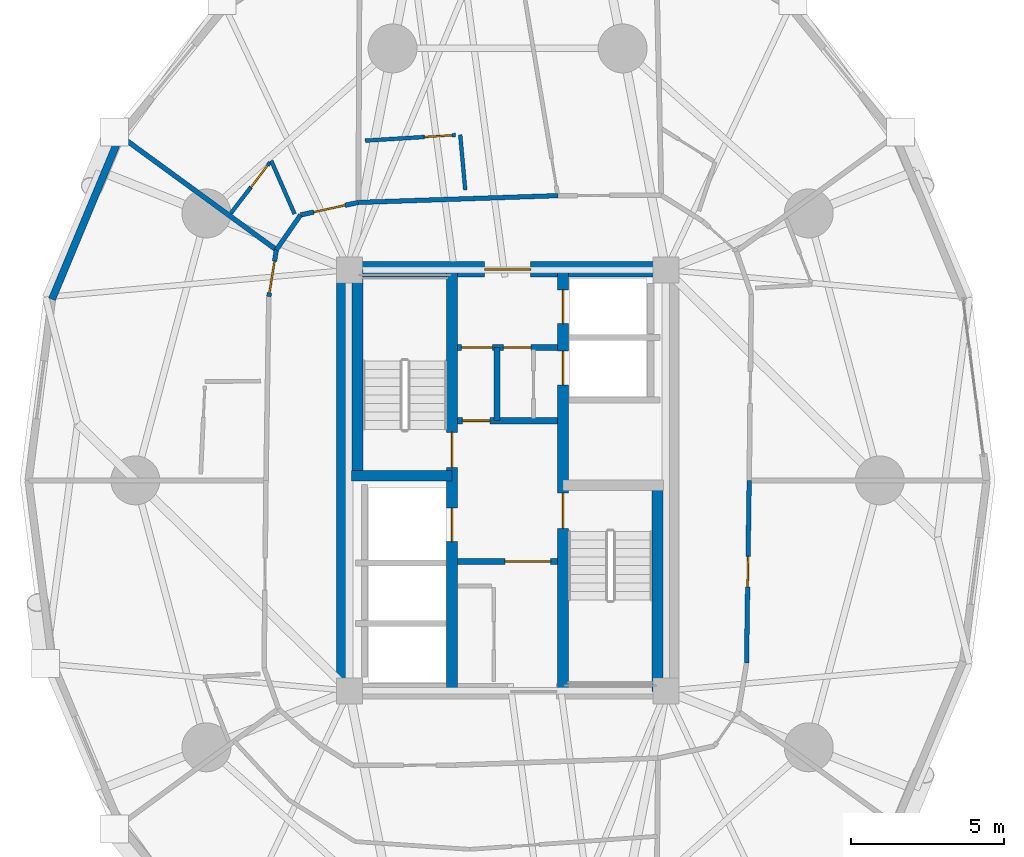
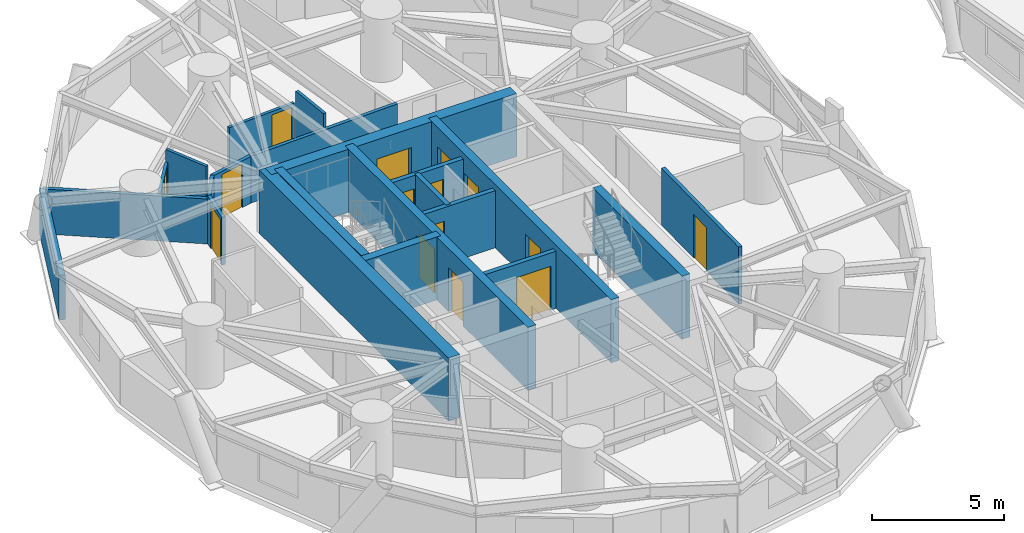
# One storey, part 11 of 19: 22 walls, 15 doors, 15 openings.
"""IFC4 building model written with IfcOpenShell, lengths in metres."""

from ifc_helpers import new_model, si_unit, direction, frame, frame_2d, origin, place, context, subcontext, project, spatial, rectangle, extrude, source, transform, mapped, material, layer, layer_set, type_object, element, fill, save


model = new_model("IFC4")

# Units and contexts
model_context = context("Model", 3, precision=1e-05, world=origin(), true_north=direction((0.0, 1.0)))
body_context = subcontext(model_context, "Body", "Model", "MODEL_VIEW")
ifc_project = project(units=[si_unit("LENGTHUNIT", "METRE"), si_unit("AREAUNIT", "SQUARE_METRE"), si_unit("VOLUMEUNIT", "CUBIC_METRE"), si_unit("PLANEANGLEUNIT", "RADIAN"), si_unit("MASSUNIT", "GRAM", prefix="KILO")], contexts=[model_context])

# Site, building, storey
site_placement = place(None, origin())
site = spatial("IfcSite", under=ifc_project, at=site_placement, CompositionType="ELEMENT")
building_placement = place(site_placement, origin())
building = spatial("IfcBuilding", under=site, at=building_placement, Name="Cununo Teusaquillo Station Towers", CompositionType="ELEMENT")
storey_placement = place(building_placement, frame((0.0, 0.0, 48.18994140625)))
storey = spatial("IfcBuildingStorey", under=building, at=storey_placement, Name="L14", CompositionType="ELEMENT", Elevation=48.18994140625)

# Wall, openings, doors
ifc_material_1 = material(Name="Concrete C50/60", Category="concrete")
ifc_layer_1 = layer(ifc_material_1, 0.35009765625)
ifc_layer_set_1 = layer_set([ifc_layer_1], Name="Concrete C50/60")
wall_type_1 = type_object("IfcWallType", Name="WL-CORE-350", PredefinedType="SHEAR", material=ifc_layer_set_1)
wall_1_placement = place(storey_placement, frame((14.68505859375, 17.60009765625, 0.0), z_axis=(0.0, 0.0, 1.0), x_axis=(0.0, 1.0, 0.0)))
wall_1 = element("IfcWall", 1, at=wall_1_placement, inside=storey, type_object=wall_type_1, Name="L14 Tower A Core Shear Wall IW", PredefinedType="SHEAR", context=body_context, shape_type="SweptSolid", body=[
    extrude(rectangle(XDim=13.7998046875, YDim=0.35009765625, at=frame_2d((6.89990234375, 0.0))), origin(), (0.0, 0.0, 1.0), 2.91015625),
])
shared_shape_1 = source(origin(), body_context, "Body", "SweptSolid", [
    extrude(rectangle(XDim=1.10009765625, YDim=2.014892578125, at=frame_2d((0.550048828125, 1.00732421875))), frame((0.0, 0.18505859375, 0.0), z_axis=(0.0, -1.0, 0.0), x_axis=(1.0, 0.0, 0.0)), (0.0, 0.0, 1.0), 0.3701171875),
])
opening_1_placement = place(wall_1_placement, frame((4.89990234375, 0.0, 0.0)))
opening_1 = element("IfcOpeningElement", 2, at=opening_1_placement, cuts=wall_1, Name="Opening LD-01", PredefinedType="OPENING", context=body_context, shape_type="MappedRepresentation", body=[
    mapped(shared_shape_1, transform((0.0, 0.0, 0.0), x_axis=(1.0, 0.0, 0.0), y_axis=(0.0, 1.0, 0.0), z_axis=(0.0, 0.0, 1.0), scale=1.0)),
])
shared_shape_2 = source(origin(), body_context, "Body", "SweptSolid", [
    extrude(rectangle(XDim=1.14990234375, YDim=2.02001953125, at=frame_2d((0.574951171875, 1.010009765625))), frame((0.0, 0.18505859375, 0.0), z_axis=(0.0, -1.0, 0.0), x_axis=(1.0, 0.0, 0.0)), (0.0, 0.0, 1.0), 0.3701171875),
])
opening_2_placement = place(wall_1_placement, frame((7.320068359375, 0.0, 0.0)))
opening_2 = element("IfcOpeningElement", 3, at=opening_2_placement, cuts=wall_1, Name="Opening D-ST1", PredefinedType="OPENING", context=body_context, shape_type="MappedRepresentation", body=[
    mapped(shared_shape_2, transform((0.0, 0.0, 0.0), x_axis=(1.0, 0.0, 0.0), y_axis=(0.0, 1.0, 0.0), z_axis=(0.0, 0.0, 1.0), scale=1.0)),
])
ifc_material_2 = material(Name="Galvanised fire-rated hollow steel door assembly", Category="steel")
door_type_1 = type_object("IfcDoorType", Name="DR-LIFT-1100", OperationType="SLIDING_TO_LEFT", PredefinedType="DOOR", material=ifc_material_2)
shared_shape_3 = source(origin(), body_context, "Body", "SweptSolid", [
    extrude(rectangle(XDim=1.10009765625, YDim=2.014892578125, at=frame_2d((0.550048828125, 1.00732421875))), frame((0.0, 0.02490234375, 0.0), z_axis=(0.0, -1.0, 0.0), x_axis=(1.0, 0.0, 0.0)), (0.0, 0.0, 1.0), 0.050048828125),
])
door_1_placement = place(opening_1_placement, origin())
door_1 = element("IfcDoor", 4, at=door_1_placement, inside=storey, type_object=door_type_1, Name="L14 Lift FL-T1 Sliding Landing Door", OperationType="SLIDING_TO_LEFT", OverallHeight=2.014892578125, OverallWidth=1.10009765625, PredefinedType="DOOR", context=body_context, shape_type="MappedRepresentation", body=[
    mapped(shared_shape_3, transform((0.0, 0.0, 0.0), x_axis=(1.0, 0.0, 0.0), y_axis=(0.0, 1.0, 0.0), z_axis=(0.0, 0.0, 1.0), scale=1.0)),
])
fill(opening_1, door_1)
ifc_material_3 = material(Name="Galvanised fire-rated hollow steel door assembly", Category="steel")
door_type_2 = type_object("IfcDoorType", Name="DR-STAIR-1150", OperationType="NOTDEFINED", PredefinedType="DOOR", material=ifc_material_3)
shared_shape_4 = source(origin(), body_context, "Body", "SweptSolid", [
    extrude(rectangle(XDim=1.14990234375, YDim=2.02001953125, at=frame_2d((0.574951171875, 1.010009765625))), frame((0.0, 0.02490234375, 0.0), z_axis=(0.0, -1.0, 0.0), x_axis=(1.0, 0.0, 0.0)), (0.0, 0.0, 1.0), 0.050048828125),
])
door_2_placement = place(opening_2_placement, origin())
door_2 = element("IfcDoor", 5, at=door_2_placement, inside=storey, type_object=door_type_2, Name="L14 Tower A Exit Stair 1 Fire Door", OperationType="SINGLE_SWING_LEFT", OverallHeight=2.02001953125, OverallWidth=1.14990234375, PredefinedType="DOOR", context=body_context, shape_type="MappedRepresentation", body=[
    mapped(shared_shape_4, transform((0.0, 0.0, 0.0), x_axis=(1.0, 0.0, 0.0), y_axis=(0.0, 1.0, 0.0), z_axis=(0.0, 0.0, 1.0), scale=1.0)),
])
fill(opening_2, door_2)

wall_2_placement = place(storey_placement, frame((18.31494140625, 17.60009765625, 0.0), z_axis=(0.0, 0.0, 1.0), x_axis=(0.0, 1.0, 0.0)))
wall_2 = element("IfcWall", 6, at=wall_2_placement, inside=storey, type_object=wall_type_1, Name="L14 Tower A Core Shear Wall IE", PredefinedType="SHEAR", context=body_context, shape_type="SweptSolid", body=[
    extrude(rectangle(XDim=13.7998046875, YDim=0.35009765625, at=frame_2d((6.89990234375, 0.0))), origin(), (0.0, 0.0, 1.0), 2.91015625),
])
opening_3_placement = place(wall_2_placement, frame((10.02490234375, 0.0, 0.0)))
opening_3 = element("IfcOpeningElement", 7, at=opening_3_placement, cuts=wall_2, Name="Opening LD-01", PredefinedType="OPENING", context=body_context, shape_type="MappedRepresentation", body=[
    mapped(shared_shape_1, transform((0.0, 0.0, 0.0), x_axis=(1.0, 0.0, 0.0), y_axis=(0.0, 1.0, 0.0), z_axis=(0.0, 0.0, 1.0), scale=1.0)),
])
opening_4_placement = place(wall_2_placement, frame((12.02490234375, 0.0, 0.0)))
opening_4 = element("IfcOpeningElement", 8, at=opening_4_placement, cuts=wall_2, Name="Opening LD-01", PredefinedType="OPENING", context=body_context, shape_type="MappedRepresentation", body=[
    mapped(shared_shape_1, transform((0.0, 0.0, 0.0), x_axis=(1.0, 0.0, 0.0), y_axis=(0.0, 1.0, 0.0), z_axis=(0.0, 0.0, 1.0), scale=1.0)),
])
opening_5_placement = place(wall_2_placement, frame((5.330078125, 0.0, 0.0)))
opening_5 = element("IfcOpeningElement", 9, at=opening_5_placement, cuts=wall_2, Name="Opening D-ST1", PredefinedType="OPENING", context=body_context, shape_type="MappedRepresentation", body=[
    mapped(shared_shape_2, transform((0.0, 0.0, 0.0), x_axis=(1.0, 0.0, 0.0), y_axis=(0.0, 1.0, 0.0), z_axis=(0.0, 0.0, 1.0), scale=1.0)),
])
door_3_placement = place(opening_3_placement, origin())
door_3 = element("IfcDoor", 10, at=door_3_placement, inside=storey, type_object=door_type_1, Name="L14 Lift PL-T1-L1 Sliding Landing Door", OperationType="SLIDING_TO_RIGHT", OverallHeight=2.014892578125, OverallWidth=1.10009765625, PredefinedType="DOOR", context=body_context, shape_type="MappedRepresentation", body=[
    mapped(shared_shape_3, transform((0.0, 0.0, 0.0), x_axis=(1.0, 0.0, 0.0), y_axis=(0.0, 1.0, 0.0), z_axis=(0.0, 0.0, 1.0), scale=1.0)),
])
fill(opening_3, door_3)
door_4_placement = place(opening_4_placement, origin())
door_4 = element("IfcDoor", 11, at=door_4_placement, inside=storey, type_object=door_type_1, Name="L14 Lift PL-T1-L2 Sliding Landing Door", OperationType="SLIDING_TO_LEFT", OverallHeight=2.014892578125, OverallWidth=1.10009765625, PredefinedType="DOOR", context=body_context, shape_type="MappedRepresentation", body=[
    mapped(shared_shape_3, transform((0.0, 0.0, 0.0), x_axis=(1.0, 0.0, 0.0), y_axis=(0.0, 1.0, 0.0), z_axis=(0.0, 0.0, 1.0), scale=1.0)),
])
fill(opening_4, door_4)
door_5_placement = place(opening_5_placement, origin())
door_5 = element("IfcDoor", 12, at=door_5_placement, inside=storey, type_object=door_type_2, Name="L14 Tower A Exit Stair 2 Fire Door", OperationType="SINGLE_SWING_RIGHT", OverallHeight=2.02001953125, OverallWidth=1.14990234375, PredefinedType="DOOR", context=body_context, shape_type="MappedRepresentation", body=[
    mapped(shared_shape_4, transform((0.0, 0.0, 0.0), x_axis=(1.0, 0.0, 0.0), y_axis=(0.0, 1.0, 0.0), z_axis=(0.0, 0.0, 1.0), scale=1.0)),
])
fill(opening_5, door_5)

# Walls
wall_3_placement = place(storey_placement, frame((11.594970703125, 24.655029296875, 0.0), z_axis=(0.0, 0.0, 1.0), x_axis=(0.0, 1.0, 0.0)))
element("IfcWall", 13, at=wall_3_placement, inside=storey, type_object=wall_type_1, Name="L14 Tower A Core Shear Wall ST1W", PredefinedType="SHEAR", context=body_context, shape_type="SweptSolid", body=[
    extrude(rectangle(XDim=6.744873046875, YDim=0.35009765625, at=frame_2d((3.37255859375, 0.0))), origin(), (0.0, 0.0, 1.0), 2.91015625),
])
wall_4_placement = place(storey_placement, frame((11.39990234375, 24.655029296875, 0.0), z_axis=(0.0, 0.0, 1.0), x_axis=(1.0, 0.0, 0.0)))
element("IfcWall", 14, at=wall_4_placement, inside=storey, type_object=wall_type_1, Name="L14 Tower A Core Shear Wall ST1S", PredefinedType="SHEAR", context=body_context, shape_type="SweptSolid", body=[
    extrude(rectangle(XDim=3.28515625, YDim=0.35009765625, at=frame_2d((1.642578125, 0.0))), origin(), (0.0, 0.0, 1.0), 2.91015625),
])
wall_5_placement = place(storey_placement, frame((21.405029296875, 17.60009765625, 0.0), z_axis=(0.0, 0.0, 1.0), x_axis=(0.0, 1.0, 0.0)))
element("IfcWall", 15, at=wall_5_placement, inside=storey, type_object=wall_type_1, Name="L14 Tower A Core Shear Wall ST2E", PredefinedType="SHEAR", context=body_context, shape_type="SweptSolid", body=[
    extrude(rectangle(XDim=6.744873046875, YDim=0.35009765625, at=frame_2d((3.37255859375, 0.0))), origin(), (0.0, 0.0, 1.0), 2.91015625),
])
ifc_material_4 = material(Name="Concrete C60/75", Category="concrete")
ifc_layer_2 = layer(ifc_material_4, 0.5)
ifc_layer_set_2 = layer_set([ifc_layer_2], Name="Concrete C60/75")
wall_type_2 = type_object("IfcWallType", Name="WL-CORE-500", PredefinedType="SHEAR", material=ifc_layer_set_2)
wall_6_placement = place(storey_placement, frame((11.14990234375, 17.35009765625, 0.0), z_axis=(0.0, 0.0, 1.0), x_axis=(0.0, 1.0, 0.0)))
element("IfcWall", 16, at=wall_6_placement, inside=storey, type_object=wall_type_2, Name="L14 Tower A Core Shear Wall W", PredefinedType="SHEAR", context=body_context, shape_type="SweptSolid", body=[
    extrude(rectangle(XDim=14.2998046875, YDim=0.5, at=frame_2d((7.14990234375, 0.0))), origin(), (0.0, 0.0, 1.0), 2.91015625),
])

# Wall, opening, door
wall_7_placement = place(storey_placement, frame((11.14990234375, 31.39990234375, 0.0), z_axis=(0.0, 0.0, 1.0), x_axis=(1.0, 0.0, 0.0)))
wall_7 = element("IfcWall", 17, at=wall_7_placement, inside=storey, type_object=wall_type_2, Name="L14 Tower A Core Shear Wall N", PredefinedType="SHEAR", context=body_context, shape_type="SweptSolid", body=[
    extrude(rectangle(XDim=10.7001953125, YDim=0.5, at=frame_2d((5.35009765625, 0.0))), origin(), (0.0, 0.0, 1.0), 2.91015625),
])
shared_shape_5 = source(origin(), body_context, "Body", "SweptSolid", [
    extrude(rectangle(XDim=1.5, YDim=2.02001953125, at=frame_2d((0.75, 1.010009765625))), frame((0.0, 0.260009765625, 0.0), z_axis=(0.0, -1.0, 0.0), x_axis=(1.0, 0.0, 0.0)), (0.0, 0.0, 1.0), 0.52001953125),
])
opening_6_placement = place(wall_7_placement, frame((4.60009765625, 0.0, 0.0)))
opening_6 = element("IfcOpeningElement", 18, at=opening_6_placement, cuts=wall_7, Name="Opening D-LB1", PredefinedType="OPENING", context=body_context, shape_type="MappedRepresentation", body=[
    mapped(shared_shape_5, transform((0.0, 0.0, 0.0), x_axis=(1.0, 0.0, 0.0), y_axis=(0.0, 1.0, 0.0), z_axis=(0.0, 0.0, 1.0), scale=1.0)),
])
ifc_material_5 = material(Name="Galvanised fire-rated hollow steel door assembly", Category="steel")
door_type_3 = type_object("IfcDoorType", Name="DR-LOBBY-1500", OperationType="DOUBLE_DOOR_SINGLE_SWING", PredefinedType="DOOR", material=ifc_material_5)
shared_shape_6 = source(origin(), body_context, "Body", "SweptSolid", [
    extrude(rectangle(XDim=1.5, YDim=2.02001953125, at=frame_2d((0.75, 1.010009765625))), frame((0.0, 0.02490234375, 0.0), z_axis=(0.0, -1.0, 0.0), x_axis=(1.0, 0.0, 0.0)), (0.0, 0.0, 1.0), 0.050048828125),
])
door_6_placement = place(opening_6_placement, origin())
door_6 = element("IfcDoor", 19, at=door_6_placement, inside=storey, type_object=door_type_3, Name="L14 Tower A North Core Lift Lobby Door", OperationType="DOUBLE_DOOR_SINGLE_SWING", OverallHeight=2.02001953125, OverallWidth=1.5, PredefinedType="DOOR", context=body_context, shape_type="MappedRepresentation", body=[
    mapped(shared_shape_6, transform((0.0, 0.0, 0.0), x_axis=(1.0, 0.0, 0.0), y_axis=(0.0, 1.0, 0.0), z_axis=(0.0, 0.0, 1.0), scale=1.0)),
])
fill(opening_6, door_6)

# Walls
ifc_material_6 = material(Name="Precast concrete C40/50", Category="concrete")
ifc_layer_3 = layer(ifc_material_6, 0.239990234375)
ifc_layer_set_3 = layer_set([ifc_layer_3], Name="Precast concrete C40/50")
wall_type_3 = type_object("IfcWallType", Name="WL-EXT-240", PredefinedType="SOLIDWALL", material=ifc_layer_set_3)
wall_8_placement = place(storey_placement, frame((1.603515625, 30.423828125, 0.0), z_axis=(0.0, 0.0, 1.0), x_axis=(0.384348836956, 0.923187939442, 0.0)))
element("IfcWall", 20, at=wall_8_placement, inside=storey, type_object=wall_type_3, Name="L14 Tower A Exterior Facade Wall C08", PredefinedType="SOLIDWALL", context=body_context, shape_type="SweptSolid", body=[
    extrude(rectangle(XDim=5.78857421875, YDim=0.239990234375, at=frame_2d((2.894287109375, 0.0))), origin(), (0.0, 0.0, 1.0), 2.072998046875),
])
ifc_material_7 = material(Name="Fire-rated gypsum plasterboard partition assembly", Category="gypsum")
ifc_layer_4 = layer(ifc_material_7, 0.125)
ifc_layer_set_4 = layer_set([ifc_layer_4], Name="Fire-rated gypsum plasterboard partition assembly")
wall_type_4 = type_object("IfcWallType", Name="WL-PART-125", PredefinedType="PARTITIONING", material=ifc_layer_set_4)
wall_9_placement = place(storey_placement, frame((15.1162109375, 33.992919921875, 0.0), z_axis=(0.0, 0.0, 1.0), x_axis=(-0.090547877021, 0.995892103577, 0.0)))
element("IfcWall", 21, at=wall_9_placement, inside=storey, type_object=wall_type_4, Name="L14 Tower A S03 En-suite Side Wall", PredefinedType="PARTITIONING", context=body_context, shape_type="SweptSolid", body=[
    extrude(rectangle(XDim=1.814697265625, YDim=0.125, at=frame_2d((0.9072265625, 0.0))), origin(), (0.0, 0.0, 1.0), 2.635009765625),
])

# Wall, opening, door
wall_10_placement = place(storey_placement, frame((14.798095703125, 35.79052734375, 0.0), z_axis=(0.0, 0.0, 1.0), x_axis=(-0.998108365817, -0.06147918417, 0.0)))
wall_10 = element("IfcWall", 22, at=wall_10_placement, inside=storey, type_object=wall_type_4, Name="L14 Tower A S03 En-suite Back Wall", PredefinedType="PARTITIONING", context=body_context, shape_type="SweptSolid", body=[
    extrude(rectangle(XDim=2.95849609375, YDim=0.125, at=frame_2d((1.479248046875, 0.0))), origin(), (0.0, 0.0, 1.0), 2.1591796875),
])
shared_shape_7 = source(origin(), body_context, "Body", "SweptSolid", [
    extrude(rectangle(XDim=0.89990234375, YDim=2.0048828125, at=frame_2d((0.449951171875, 1.00244140625))), frame((0.0, 0.072509765625, 0.0), z_axis=(0.0, -1.0, 0.0), x_axis=(1.0, 0.0, 0.0)), (0.0, 0.0, 1.0), 0.14501953125),
])
opening_7_placement = place(wall_10_placement, frame((0.1201171875, 0.0, 0.0)))
opening_7 = element("IfcOpeningElement", 23, at=opening_7_placement, cuts=wall_10, Name="Opening D-IN1", PredefinedType="OPENING", context=body_context, shape_type="MappedRepresentation", body=[
    mapped(shared_shape_7, transform((0.0, 0.0, 0.0), x_axis=(1.0, 0.0, 0.0), y_axis=(0.0, 1.0, 0.0), z_axis=(0.0, 0.0, 1.0), scale=1.0)),
])
ifc_material_8 = material(Name="Acoustic solid-core hardwood leaf assembly", Category="wood")
door_type_4 = type_object("IfcDoorType", Name="DR-INT-900", OperationType="NOTDEFINED", PredefinedType="DOOR", material=ifc_material_8)
shared_shape_8 = source(origin(), body_context, "Body", "SweptSolid", [
    extrude(rectangle(XDim=0.89990234375, YDim=2.0048828125, at=frame_2d((0.449951171875, 1.00244140625))), frame((0.0, 0.02490234375, 0.0), z_axis=(0.0, -1.0, 0.0), x_axis=(1.0, 0.0, 0.0)), (0.0, 0.0, 1.0), 0.050048828125),
])
door_7_placement = place(opening_7_placement, origin())
door_7 = element("IfcDoor", 24, at=door_7_placement, inside=storey, type_object=door_type_4, Name="L14 Tower A S03 En-suite Bathroom Door", OperationType="SINGLE_SWING_RIGHT", OverallHeight=2.0048828125, OverallWidth=0.89990234375, PredefinedType="DOOR", context=body_context, shape_type="MappedRepresentation", body=[
    mapped(shared_shape_8, transform((0.0, 0.0, 0.0), x_axis=(1.0, 0.0, 0.0), y_axis=(0.0, 1.0, 0.0), z_axis=(0.0, 0.0, 1.0), scale=1.0)),
])
fill(opening_7, door_7)

# Wall
wall_11_placement = place(storey_placement, frame((9.53515625, 33.210693359375, 0.0), z_axis=(0.0, 0.0, 1.0), x_axis=(-0.401687955793, 0.915776602765, 0.0)))
element("IfcWall", 25, at=wall_11_placement, inside=storey, type_object=wall_type_4, Name="L14 Tower A S04 En-suite Side Wall", PredefinedType="PARTITIONING", context=body_context, shape_type="SweptSolid", body=[
    extrude(rectangle(XDim=1.900634765625, YDim=0.125, at=frame_2d((0.9501953125, 0.0))), origin(), (0.0, 0.0, 1.0), 2.635009765625),
])

# Wall, opening, door
wall_12_placement = place(storey_placement, frame((8.731689453125, 34.8994140625, 0.0), z_axis=(0.0, 0.0, 1.0), x_axis=(-0.609677010074, -0.792649950096, 0.0)))
wall_12 = element("IfcWall", 26, at=wall_12_placement, inside=storey, type_object=wall_type_4, Name="L14 Tower A S04 En-suite Back Wall", PredefinedType="PARTITIONING", context=body_context, shape_type="SweptSolid", body=[
    extrude(rectangle(XDim=2.097412109375, YDim=0.125, at=frame_2d((1.048828125, 0.0))), origin(), (0.0, 0.0, 1.0), 2.072998046875),
])
opening_8_placement = place(wall_12_placement, frame((0.1201171875, 0.0, 0.0)))
opening_8 = element("IfcOpeningElement", 27, at=opening_8_placement, cuts=wall_12, Name="Opening D-IN1", PredefinedType="OPENING", context=body_context, shape_type="MappedRepresentation", body=[
    mapped(shared_shape_7, transform((0.0, 0.0, 0.0), x_axis=(1.0, 0.0, 0.0), y_axis=(0.0, 1.0, 0.0), z_axis=(0.0, 0.0, 1.0), scale=1.0)),
])
door_8_placement = place(opening_8_placement, origin())
door_8 = element("IfcDoor", 28, at=door_8_placement, inside=storey, type_object=door_type_4, Name="L14 Tower A S04 En-suite Bathroom Door", OperationType="SINGLE_SWING_RIGHT", OverallHeight=2.0048828125, OverallWidth=0.89990234375, PredefinedType="DOOR", context=body_context, shape_type="MappedRepresentation", body=[
    mapped(shared_shape_8, transform((0.0, 0.0, 0.0), x_axis=(1.0, 0.0, 0.0), y_axis=(0.0, 1.0, 0.0), z_axis=(0.0, 0.0, 1.0), scale=1.0)),
])
fill(opening_8, door_8)

# Wall
ifc_material_9 = material(Name="Fire-rated gypsum plasterboard partition assembly", Category="gypsum")
ifc_layer_5 = layer(ifc_material_9, 0.14990234375)
ifc_layer_set_5 = layer_set([ifc_layer_5], Name="Fire-rated gypsum plasterboard partition assembly")
wall_type_5 = type_object("IfcWallType", Name="WL-PART-150", PredefinedType="PARTITIONING", material=ifc_layer_set_5)
wall_13_placement = place(storey_placement, frame((18.142822265625, 33.8095703125, 0.0), z_axis=(0.0, 0.0, 1.0), x_axis=(-0.999423023908, -0.033964971394, 0.0)))
element("IfcWall", 29, at=wall_13_placement, inside=storey, type_object=wall_type_5, Name="L14 Tower A Corridor Ring Wall C05", PredefinedType="PARTITIONING", context=body_context, shape_type="SweptSolid", body=[
    extrude(rectangle(XDim=6.526611328125, YDim=0.14990234375, at=frame_2d((3.26318359375, 0.0))), origin(), (0.0, 0.0, 1.0), 2.1591796875),
])

# Wall, opening, door
wall_14_placement = place(storey_placement, frame((11.619873046875, 33.587890625, 0.0), z_axis=(0.0, 0.0, 1.0), x_axis=(-0.977392314559, -0.211433827571, 0.0)))
wall_14 = element("IfcWall", 30, at=wall_14_placement, inside=storey, type_object=wall_type_5, Name="L14 Tower A Corridor Ring Wall C06", PredefinedType="PARTITIONING", context=body_context, shape_type="SweptSolid", body=[
    extrude(rectangle(XDim=1.93408203125, YDim=0.14990234375, at=frame_2d((0.967041015625, 0.0))), origin(), (0.0, 0.0, 1.0), 2.1591796875),
])
shared_shape_9 = source(origin(), body_context, "Body", "SweptSolid", [
    extrude(rectangle(XDim=1.050048828125, YDim=2.014892578125, at=frame_2d((0.52490234375, 1.00732421875))), frame((0.0, 0.0849609375, 0.0), z_axis=(0.0, -1.0, 0.0), x_axis=(1.0, 0.0, 0.0)), (0.0, 0.0, 1.0), 0.169921875),
])
opening_9_placement = place(wall_14_placement, frame((0.44189453125, 0.0, 0.0)))
opening_9 = element("IfcOpeningElement", 31, at=opening_9_placement, cuts=wall_14, Name="Opening D-SU1", PredefinedType="OPENING", context=body_context, shape_type="MappedRepresentation", body=[
    mapped(shared_shape_9, transform((0.0, 0.0, 0.0), x_axis=(1.0, 0.0, 0.0), y_axis=(0.0, 1.0, 0.0), z_axis=(0.0, 0.0, 1.0), scale=1.0)),
])
ifc_material_10 = material(Name="Acoustic solid-core hardwood leaf assembly", Category="wood")
door_type_5 = type_object("IfcDoorType", Name="DR-SUITE-1050", OperationType="NOTDEFINED", PredefinedType="DOOR", material=ifc_material_10)
shared_shape_10 = source(origin(), body_context, "Body", "SweptSolid", [
    extrude(rectangle(XDim=1.050048828125, YDim=2.014892578125, at=frame_2d((0.52490234375, 1.00732421875))), frame((0.0, 0.02490234375, 0.0), z_axis=(0.0, -1.0, 0.0), x_axis=(1.0, 0.0, 0.0)), (0.0, 0.0, 1.0), 0.050048828125),
])
door_9_placement = place(opening_9_placement, origin())
door_9 = element("IfcDoor", 32, at=door_9_placement, inside=storey, type_object=door_type_5, Name="L14 Tower A Chancellor Corner Hotel Suite Entrance Door", OperationType="SINGLE_SWING_LEFT", OverallHeight=2.014892578125, OverallWidth=1.050048828125, PredefinedType="DOOR", context=body_context, shape_type="MappedRepresentation", body=[
    mapped(shared_shape_10, transform((0.0, 0.0, 0.0), x_axis=(1.0, 0.0, 0.0), y_axis=(0.0, 1.0, 0.0), z_axis=(0.0, 0.0, 1.0), scale=1.0)),
])
fill(opening_9, door_9)

# Wall
wall_15_placement = place(storey_placement, frame((9.7294921875, 33.178955078125, 0.0), z_axis=(0.0, 0.0, 1.0), x_axis=(-0.569155068352, -0.822230203878, 0.0)))
element("IfcWall", 33, at=wall_15_placement, inside=storey, type_object=wall_type_5, Name="L14 Tower A Corridor Ring Wall C07", PredefinedType="PARTITIONING", context=body_context, shape_type="SweptSolid", body=[
    extrude(rectangle(XDim=1.38720703125, YDim=0.14990234375, at=frame_2d((0.693603515625, 0.0))), origin(), (0.0, 0.0, 1.0), 2.1591796875),
])

# Wall, opening, door
wall_16_placement = place(storey_placement, frame((8.93994140625, 32.038330078125, 0.0), z_axis=(0.0, 0.0, 1.0), x_axis=(-0.159917336462, -0.987130409571, 0.0)))
wall_16 = element("IfcWall", 34, at=wall_16_placement, inside=storey, type_object=wall_type_5, Name="L14 Tower A Corridor Ring Wall C08", PredefinedType="PARTITIONING", context=body_context, shape_type="SweptSolid", body=[
    extrude(rectangle(XDim=1.546630859375, YDim=0.14990234375, at=frame_2d((0.7734375, 0.0))), origin(), (0.0, 0.0, 1.0), 2.205078125),
])
opening_10_placement = place(wall_16_placement, frame((0.376708984375, 0.0, 0.0)))
opening_10 = element("IfcOpeningElement", 35, at=opening_10_placement, cuts=wall_16, Name="Opening D-SU1", PredefinedType="OPENING", context=body_context, shape_type="MappedRepresentation", body=[
    mapped(shared_shape_9, transform((0.0, 0.0, 0.0), x_axis=(1.0, 0.0, 0.0), y_axis=(0.0, 1.0, 0.0), z_axis=(0.0, 0.0, 1.0), scale=1.0)),
])
door_10_placement = place(opening_10_placement, origin())
door_10 = element("IfcDoor", 36, at=door_10_placement, inside=storey, type_object=door_type_5, Name="L14 Tower A Consular Hospitality Suite Entrance Door", OperationType="SINGLE_SWING_LEFT", OverallHeight=2.014892578125, OverallWidth=1.050048828125, PredefinedType="DOOR", context=body_context, shape_type="MappedRepresentation", body=[
    mapped(shared_shape_10, transform((0.0, 0.0, 0.0), x_axis=(1.0, 0.0, 0.0), y_axis=(0.0, 1.0, 0.0), z_axis=(0.0, 0.0, 1.0), scale=1.0)),
])
fill(opening_10, door_10)

wall_17_placement = place(storey_placement, frame((24.3134765625, 18.52880859375, 0.0), z_axis=(0.0, 0.0, 1.0), x_axis=(0.014472275982, 0.99989527113, 0.0)))
wall_17 = element("IfcWall", 37, at=wall_17_placement, inside=storey, type_object=wall_type_5, Name="L14 Tower A Corridor Ring Wall C19", PredefinedType="PARTITIONING", context=body_context, shape_type="SweptSolid", body=[
    extrude(rectangle(XDim=5.971923828125, YDim=0.14990234375, at=frame_2d((2.98583984375, 0.0))), origin(), (0.0, 0.0, 1.0), 2.635009765625),
])
shared_shape_11 = source(origin(), body_context, "Body", "SweptSolid", [
    extrude(rectangle(XDim=1.0, YDim=2.014892578125, at=frame_2d((0.5, 1.00732421875))), frame((0.0, 0.0849609375, 0.0), z_axis=(0.0, -1.0, 0.0), x_axis=(1.0, 0.0, 0.0)), (0.0, 0.0, 1.0), 0.169921875),
])
opening_11_placement = place(wall_17_placement, frame((2.486083984375, 0.0, 0.0)))
opening_11 = element("IfcOpeningElement", 38, at=opening_11_placement, cuts=wall_17, Name="Opening D-AC1", PredefinedType="OPENING", context=body_context, shape_type="MappedRepresentation", body=[
    mapped(shared_shape_11, transform((0.0, 0.0, 0.0), x_axis=(1.0, 0.0, 0.0), y_axis=(0.0, 1.0, 0.0), z_axis=(0.0, 0.0, 1.0), scale=1.0)),
])
ifc_material_11 = material(Name="Acoustic solid-core hardwood leaf assembly", Category="wood")
door_type_6 = type_object("IfcDoorType", Name="DR-ACC-1000", OperationType="NOTDEFINED", PredefinedType="DOOR", material=ifc_material_11)
shared_shape_12 = source(origin(), body_context, "Body", "SweptSolid", [
    extrude(rectangle(XDim=1.0, YDim=2.014892578125, at=frame_2d((0.5, 1.00732421875))), frame((0.0, 0.02490234375, 0.0), z_axis=(0.0, -1.0, 0.0), x_axis=(1.0, 0.0, 0.0)), (0.0, 0.0, 1.0), 0.050048828125),
])
door_11_placement = place(opening_11_placement, origin())
door_11 = element("IfcDoor", 39, at=door_11_placement, inside=storey, type_object=door_type_6, Name="L14 Tower A Public Accessible Restroom WC Entrance Door", OperationType="SINGLE_SWING_RIGHT", OverallHeight=2.014892578125, OverallWidth=1.0, PredefinedType="DOOR", context=body_context, shape_type="MappedRepresentation", body=[
    mapped(shared_shape_12, transform((0.0, 0.0, 0.0), x_axis=(1.0, 0.0, 0.0), y_axis=(0.0, 1.0, 0.0), z_axis=(0.0, 0.0, 1.0), scale=1.0)),
])
fill(opening_11, door_11)

# Wall
ifc_material_12 = material(Name="Fire-rated gypsum plasterboard partition assembly", Category="gypsum")
ifc_layer_6 = layer(ifc_material_12, 0.159912109375)
ifc_layer_set_6 = layer_set([ifc_layer_6], Name="Fire-rated gypsum plasterboard partition assembly")
wall_type_6 = type_object("IfcWallType", Name="WL-PART-160", PredefinedType="PARTITIONING", material=ifc_layer_set_6)
wall_18_placement = place(storey_placement, frame((8.93994140625, 32.038330078125, 0.0), z_axis=(0.0, 0.0, 1.0), x_axis=(-0.807831293846, 0.58941377714, 0.0)))
element("IfcWall", 40, at=wall_18_placement, inside=storey, type_object=wall_type_6, Name="L14 Tower A Radial Suite Partition R05", PredefinedType="PARTITIONING", context=body_context, shape_type="SweptSolid", body=[
    extrude(rectangle(XDim=6.3076171875, YDim=0.159912109375, at=frame_2d((3.15380859375, 0.0))), origin(), (0.0, 0.0, 1.0), 2.072998046875),
])

# Wall, opening, door
ifc_material_13 = material(Name="Fire-rated gypsum plasterboard partition assembly", Category="gypsum")
ifc_layer_7 = layer(ifc_material_13, 0.199951171875)
ifc_layer_set_7 = layer_set([ifc_layer_7], Name="Fire-rated gypsum plasterboard partition assembly")
wall_type_7 = type_object("IfcWallType", Name="WL-PART-200", PredefinedType="PARTITIONING", material=ifc_layer_set_7)
wall_19_placement = place(storey_placement, frame((14.860107421875, 21.85009765625, 0.0), z_axis=(0.0, 0.0, 1.0), x_axis=(1.0, 0.0, 0.0)))
wall_19 = element("IfcWall", 41, at=wall_19_placement, inside=storey, type_object=wall_type_7, Name="L14 Tower A Firefighting Lift Lobby South Fire Wall", PredefinedType="PARTITIONING", context=body_context, shape_type="SweptSolid", body=[
    extrude(rectangle(XDim=3.27978515625, YDim=0.199951171875, at=frame_2d((1.639892578125, 0.0))), origin(), (0.0, 0.0, 1.0), 2.635009765625),
])
shared_shape_13 = source(origin(), body_context, "Body", "SweptSolid", [
    extrude(rectangle(XDim=1.5, YDim=2.02001953125, at=frame_2d((0.75, 1.010009765625))), frame((0.0, 0.10986328125, 0.0), z_axis=(0.0, -1.0, 0.0), x_axis=(1.0, 0.0, 0.0)), (0.0, 0.0, 1.0), 0.219970703125),
])
opening_12_placement = place(wall_19_placement, frame((1.550048828125, 0.0, 0.0)))
opening_12 = element("IfcOpeningElement", 42, at=opening_12_placement, cuts=wall_19, Name="Opening D-LB1", PredefinedType="OPENING", context=body_context, shape_type="MappedRepresentation", body=[
    mapped(shared_shape_13, transform((0.0, 0.0, 0.0), x_axis=(1.0, 0.0, 0.0), y_axis=(0.0, 1.0, 0.0), z_axis=(0.0, 0.0, 1.0), scale=1.0)),
])
door_12_placement = place(opening_12_placement, origin())
door_12 = element("IfcDoor", 43, at=door_12_placement, inside=storey, type_object=door_type_3, Name="L14 Tower A Firefighting Lift Lobby South Fire Door", OperationType="DOUBLE_DOOR_SINGLE_SWING", OverallHeight=2.02001953125, OverallWidth=1.5, PredefinedType="DOOR", context=body_context, shape_type="MappedRepresentation", body=[
    mapped(shared_shape_6, transform((0.0, 0.0, 0.0), x_axis=(1.0, 0.0, 0.0), y_axis=(0.0, 1.0, 0.0), z_axis=(0.0, 0.0, 1.0), scale=1.0)),
])
fill(opening_12, door_12)

wall_20_placement = place(storey_placement, frame((14.860107421875, 26.449951171875, 0.0), z_axis=(0.0, 0.0, 1.0), x_axis=(1.0, 0.0, 0.0)))
wall_20 = element("IfcWall", 44, at=wall_20_placement, inside=storey, type_object=wall_type_7, Name="L14 Tower A Firefighting Lift Lobby North Fire Wall", PredefinedType="PARTITIONING", context=body_context, shape_type="SweptSolid", body=[
    extrude(rectangle(XDim=3.27978515625, YDim=0.199951171875, at=frame_2d((1.639892578125, 0.0))), origin(), (0.0, 0.0, 1.0), 2.635009765625),
])
shared_shape_14 = source(origin(), body_context, "Body", "SweptSolid", [
    extrude(rectangle(XDim=0.89990234375, YDim=2.0048828125, at=frame_2d((0.449951171875, 1.00244140625))), frame((0.0, 0.10986328125, 0.0), z_axis=(0.0, -1.0, 0.0), x_axis=(1.0, 0.0, 0.0)), (0.0, 0.0, 1.0), 0.219970703125),
])
opening_13_placement = place(wall_20_placement, frame((0.159912109375, 0.0, 0.0)))
opening_13 = element("IfcOpeningElement", 45, at=opening_13_placement, cuts=wall_20, Name="Opening D-SR1", PredefinedType="OPENING", context=body_context, shape_type="MappedRepresentation", body=[
    mapped(shared_shape_14, transform((0.0, 0.0, 0.0), x_axis=(1.0, 0.0, 0.0), y_axis=(0.0, 1.0, 0.0), z_axis=(0.0, 0.0, 1.0), scale=1.0)),
])
ifc_material_14 = material(Name="Galvanised fire-rated hollow steel door assembly", Category="steel")
door_type_7 = type_object("IfcDoorType", Name="DR-STORE-900", OperationType="NOTDEFINED", PredefinedType="DOOR", material=ifc_material_14)
door_13_placement = place(opening_13_placement, origin())
door_13 = element("IfcDoor", 46, at=door_13_placement, inside=storey, type_object=door_type_7, Name="L14 Tower A Stair 1 Protected Vestibule South Door", OperationType="SINGLE_SWING_LEFT", OverallHeight=2.0048828125, OverallWidth=0.89990234375, PredefinedType="DOOR", context=body_context, shape_type="MappedRepresentation", body=[
    mapped(shared_shape_8, transform((0.0, 0.0, 0.0), x_axis=(1.0, 0.0, 0.0), y_axis=(0.0, 1.0, 0.0), z_axis=(0.0, 0.0, 1.0), scale=1.0)),
])
fill(opening_13, door_13)

# Wall
wall_21_placement = place(storey_placement, frame((16.14990234375, 26.449951171875, 0.0), z_axis=(0.0, 0.0, 1.0), x_axis=(0.0, 1.0, 0.0)))
element("IfcWall", 47, at=wall_21_placement, inside=storey, type_object=wall_type_7, Name="L14 Tower A Stair 1 Vestibule Partition Wall", PredefinedType="PARTITIONING", context=body_context, shape_type="SweptSolid", body=[
    extrude(rectangle(XDim=2.400146484375, YDim=0.199951171875, at=frame_2d((1.2001953125, 0.0))), origin(), (0.0, 0.0, 1.0), 2.635009765625),
])

# Wall, openings, doors
wall_22_placement = place(storey_placement, frame((14.860107421875, 28.85009765625, 0.0), z_axis=(0.0, 0.0, 1.0), x_axis=(1.0, 0.0, 0.0)))
wall_22 = element("IfcWall", 48, at=wall_22_placement, inside=storey, type_object=wall_type_7, Name="L14 Tower A North Lift Lobby South Fire Wall", PredefinedType="PARTITIONING", context=body_context, shape_type="SweptSolid", body=[
    extrude(rectangle(XDim=3.27978515625, YDim=0.199951171875, at=frame_2d((1.639892578125, 0.0))), origin(), (0.0, 0.0, 1.0), 2.635009765625),
])
shared_shape_15 = source(origin(), body_context, "Body", "SweptSolid", [
    extrude(rectangle(XDim=1.0, YDim=2.014892578125, at=frame_2d((0.5, 1.00732421875))), frame((0.0, 0.10986328125, 0.0), z_axis=(0.0, -1.0, 0.0), x_axis=(1.0, 0.0, 0.0)), (0.0, 0.0, 1.0), 0.219970703125),
])
opening_14_placement = place(wall_22_placement, frame((0.139892578125, 0.0, 0.0)))
opening_14 = element("IfcOpeningElement", 49, at=opening_14_placement, cuts=wall_22, Name="Opening D-AC1", PredefinedType="OPENING", context=body_context, shape_type="MappedRepresentation", body=[
    mapped(shared_shape_15, transform((0.0, 0.0, 0.0), x_axis=(1.0, 0.0, 0.0), y_axis=(0.0, 1.0, 0.0), z_axis=(0.0, 0.0, 1.0), scale=1.0)),
])
opening_15_placement = place(wall_22_placement, frame((1.5, 0.0, 0.0)))
opening_15 = element("IfcOpeningElement", 50, at=opening_15_placement, cuts=wall_22, Name="Opening D-SR1", PredefinedType="OPENING", context=body_context, shape_type="MappedRepresentation", body=[
    mapped(shared_shape_14, transform((0.0, 0.0, 0.0), x_axis=(1.0, 0.0, 0.0), y_axis=(0.0, 1.0, 0.0), z_axis=(0.0, 0.0, 1.0), scale=1.0)),
])
door_14_placement = place(opening_15_placement, origin())
door_14 = element("IfcDoor", 51, at=door_14_placement, inside=storey, type_object=door_type_7, Name="L14 Tower A Core Housekeeping Store Door", OperationType="SINGLE_SWING_RIGHT", OverallHeight=2.0048828125, OverallWidth=0.89990234375, PredefinedType="DOOR", context=body_context, shape_type="MappedRepresentation", body=[
    mapped(shared_shape_8, transform((0.0, 0.0, 0.0), x_axis=(1.0, 0.0, 0.0), y_axis=(0.0, 1.0, 0.0), z_axis=(0.0, 0.0, 1.0), scale=1.0)),
])
fill(opening_15, door_14)
door_15_placement = place(opening_14_placement, origin())
door_15 = element("IfcDoor", 52, at=door_15_placement, inside=storey, type_object=door_type_6, Name="L14 Tower A North Lift Lobby to Stair 1 Vestibule Door", OperationType="SINGLE_SWING_RIGHT", OverallHeight=2.014892578125, OverallWidth=1.0, PredefinedType="DOOR", context=body_context, shape_type="MappedRepresentation", body=[
    mapped(shared_shape_12, transform((0.0, 0.0, 0.0), x_axis=(1.0, 0.0, 0.0), y_axis=(0.0, 1.0, 0.0), z_axis=(0.0, 0.0, 1.0), scale=1.0)),
])
fill(opening_14, door_15)

save(model, "model.ifc")
